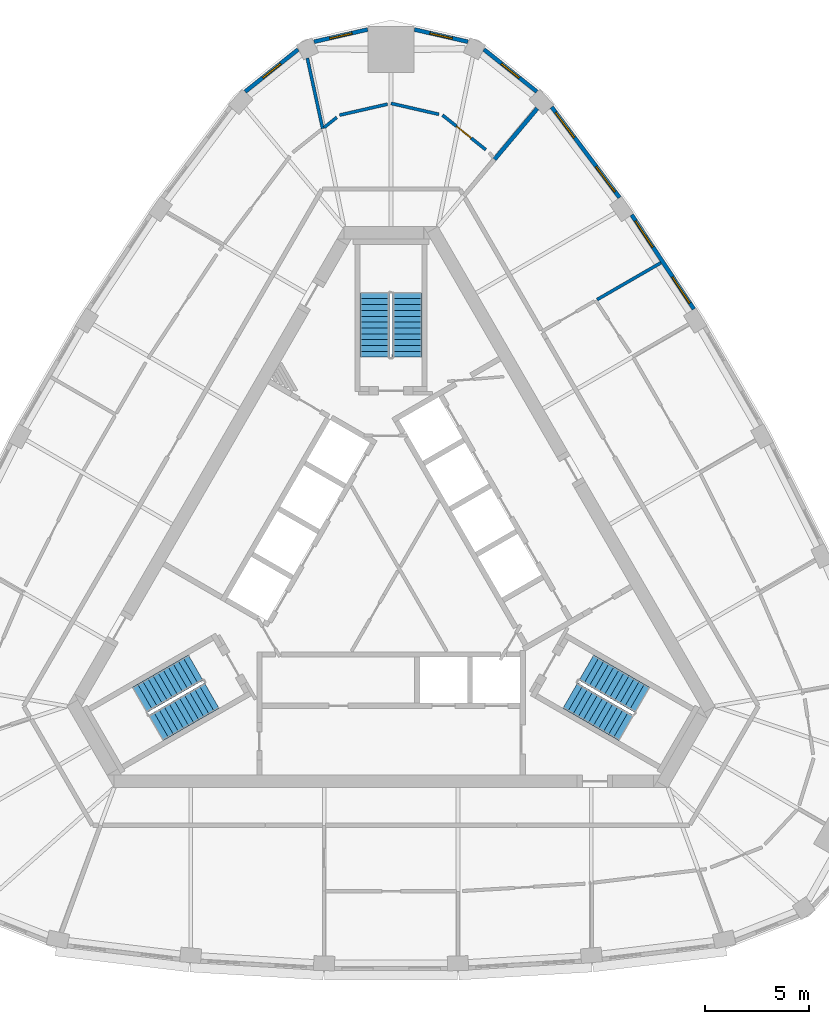
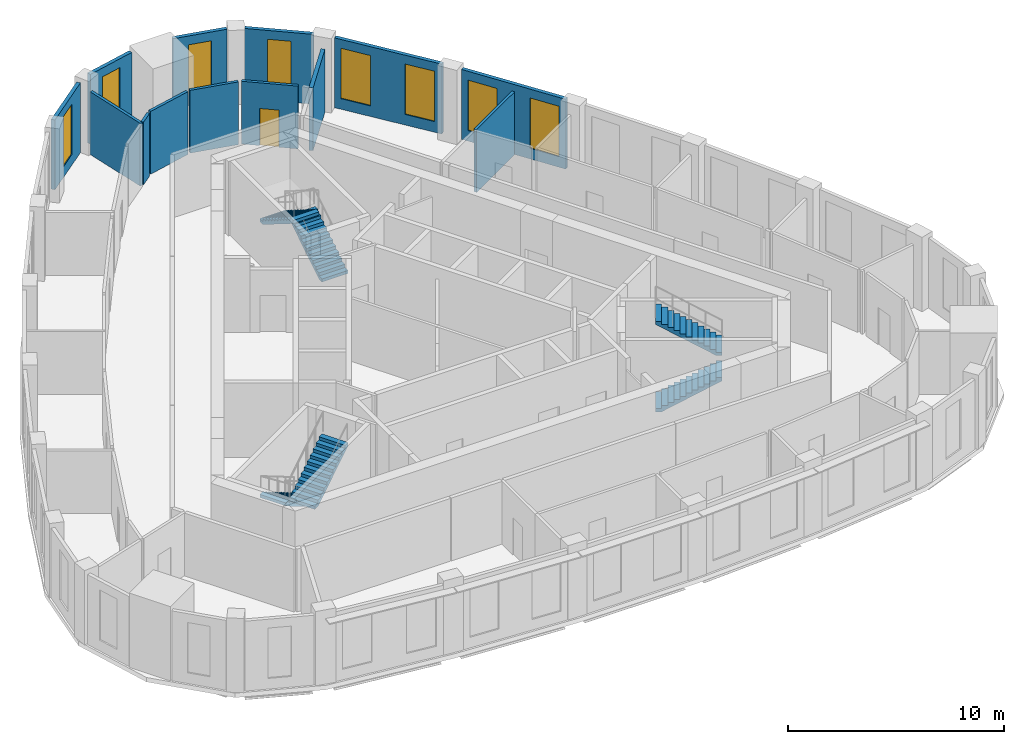
# One storey, part 9 of 10: 13 walls, 8 windows, 6 stair flights, 1 door, 9 openings, 3 elements without a shape of their own.
"""IFC4 building model written with IfcOpenShell, lengths in metres."""

from ifc_helpers import new_model, si_unit, direction, frame, frame_2d, origin, place, context, subcontext, project, spatial, polyline, rectangle, outline, extrude, material, layer, layer_set, type_object, element, fill, aggregate, save


model = new_model("IFC4")

# Units and contexts
model_context = context("Model", 3, precision=1e-05, world=origin(), true_north=direction((0.0, 1.0)))
body_context = subcontext(model_context, "Body", "Model", "MODEL_VIEW")
ifc_project = project(units=[si_unit("LENGTHUNIT", "METRE"), si_unit("AREAUNIT", "SQUARE_METRE"), si_unit("VOLUMEUNIT", "CUBIC_METRE"), si_unit("PLANEANGLEUNIT", "RADIAN"), si_unit("MASSUNIT", "GRAM", prefix="KILO")], contexts=[model_context])

# Site, building, storey
site_placement = place(None, origin())
site = spatial("IfcSite", under=ifc_project, at=site_placement, CompositionType="ELEMENT")
building_placement = place(site_placement, origin())
building = spatial("IfcBuilding", under=site, at=building_placement, Name="Mestral Congress Tower", CompositionType="ELEMENT")
storey_placement = place(building_placement, frame((0.0, 0.0, 271.199951171875)))
storey = spatial("IfcBuildingStorey", under=building, at=storey_placement, Name="L63", CompositionType="ELEMENT", Elevation=271.199951171875)

# Wall, openings, windows
ifc_material_1 = material(Name="Precast concrete C40/50 with limestone facing", Category="masonry")
ifc_layer_1 = layer(ifc_material_1, 0.18994140625)
ifc_layer_set_1 = layer_set([ifc_layer_1], Name="Precast concrete C40/50 with limestone facing")
wall_type_1 = type_object("IfcWallType", Name="Facade stone wall 190", PredefinedType="SOLIDWALL", material=ifc_layer_set_1)
wall_1_placement = place(storey_placement, frame((14.49560546875, 12.6533203125, 0.0), z_axis=(0.0, 0.0, 1.0), x_axis=(-0.550744054781, 0.83467417962, 0.0)))
wall_1 = element("IfcWall", 1, at=wall_1_placement, inside=storey, type_object=wall_type_1, Name="Facade wall F1-03", PredefinedType="SOLIDWALL", context=body_context, shape_type="SweptSolid", body=[
    extrude(rectangle(XDim=5.406005859375, YDim=0.18994140625, at=frame_2d((2.703125, 0.0))), origin(), (0.0, 0.0, 1.0), 3.949951171875),
])
opening_1_placement = place(wall_1_placement, frame((0.346435546875, 0.0, 0.60009765625)))
opening_1 = element("IfcOpeningElement", 2, at=opening_1_placement, cuts=wall_1, Name="Opening W6", PredefinedType="OPENING", context=body_context, shape_type="SweptSolid", body=[
    extrude(rectangle(XDim=1.5, YDim=2.85009765625, at=frame_2d((0.75, 1.425048828125))), frame((0.0, 0.10498046875, 0.0), z_axis=(0.0, -1.0, 0.0), x_axis=(1.0, 0.0, 0.0)), (0.0, 0.0, 1.0), 0.2099609375),
])
opening_2_placement = place(wall_1_placement, frame((3.559326171875, 0.0, 0.60009765625)))
opening_2 = element("IfcOpeningElement", 3, at=opening_2_placement, cuts=wall_1, Name="Opening W6", PredefinedType="OPENING", context=body_context, shape_type="SweptSolid", body=[
    extrude(rectangle(XDim=1.5, YDim=2.85009765625, at=frame_2d((0.75, 1.425048828125))), frame((0.0, 0.10498046875, 0.0), z_axis=(0.0, -1.0, 0.0), x_axis=(1.0, 0.0, 0.0)), (0.0, 0.0, 1.0), 0.2099609375),
])
ifc_material_2 = material(Name="Clear low-emissivity double glazing", Category="glass")
window_type_1 = type_object("IfcWindowType", Name="Facade punched window 1500 x 2850 sill 600", PartitioningType="SINGLE_PANEL", PredefinedType="WINDOW", material=ifc_material_2)
window_1_placement = place(opening_1_placement, origin())
window_1 = element("IfcWindow", 4, at=window_1_placement, inside=storey, type_object=window_type_1, Name="Window F1-03a", OverallHeight=2.85009765625, OverallWidth=1.5, PartitioningType="SINGLE_PANEL", PredefinedType="WINDOW", context=body_context, shape_type="SweptSolid", body=[
    extrude(rectangle(XDim=1.5, YDim=2.85009765625, at=frame_2d((0.75, 1.425048828125))), frame((0.0, 0.044921875, 0.0), z_axis=(0.0, -1.0, 0.0), x_axis=(1.0, 0.0, 0.0)), (0.0, 0.0, 1.0), 0.06005859375),
])
fill(opening_1, window_1)
window_2_placement = place(opening_2_placement, origin())
window_2 = element("IfcWindow", 5, at=window_2_placement, inside=storey, type_object=window_type_1, Name="Window F1-03b", OverallHeight=2.85009765625, OverallWidth=1.5, PartitioningType="SINGLE_PANEL", PredefinedType="WINDOW", context=body_context, shape_type="SweptSolid", body=[
    extrude(rectangle(XDim=1.5, YDim=2.85009765625, at=frame_2d((0.75, 1.425048828125))), frame((0.0, 0.044921875, 0.0), z_axis=(0.0, -1.0, 0.0), x_axis=(1.0, 0.0, 0.0)), (0.0, 0.0, 1.0), 0.06005859375),
])
fill(opening_2, window_2)

wall_2_placement = place(storey_placement, frame((10.938232421875, 17.989990234375, 0.0), z_axis=(0.0, 0.0, 1.0), x_axis=(-0.599559865294, 0.800329911929, 0.0)))
wall_2 = element("IfcWall", 6, at=wall_2_placement, inside=storey, type_object=wall_type_1, Name="Facade wall F1-04", PredefinedType="SOLIDWALL", context=body_context, shape_type="SweptSolid", body=[
    extrude(rectangle(XDim=5.4150390625, YDim=0.18994140625, at=frame_2d((2.70751953125, 0.0))), origin(), (0.0, 0.0, 1.0), 3.949951171875),
])
opening_3_placement = place(wall_2_placement, frame((0.357666015625, 0.0, 0.60009765625)))
opening_3 = element("IfcOpeningElement", 7, at=opening_3_placement, cuts=wall_2, Name="Opening W6", PredefinedType="OPENING", context=body_context, shape_type="SweptSolid", body=[
    extrude(rectangle(XDim=1.5, YDim=2.85009765625, at=frame_2d((0.75, 1.425048828125))), frame((0.0, 0.10498046875, 0.0), z_axis=(0.0, -1.0, 0.0), x_axis=(1.0, 0.0, 0.0)), (0.0, 0.0, 1.0), 0.2099609375),
])
opening_4_placement = place(wall_2_placement, frame((3.592529296875, 0.0, 0.60009765625)))
opening_4 = element("IfcOpeningElement", 8, at=opening_4_placement, cuts=wall_2, Name="Opening W6", PredefinedType="OPENING", context=body_context, shape_type="SweptSolid", body=[
    extrude(rectangle(XDim=1.5, YDim=2.85009765625, at=frame_2d((0.75, 1.425048828125))), frame((0.0, 0.10498046875, 0.0), z_axis=(0.0, -1.0, 0.0), x_axis=(1.0, 0.0, 0.0)), (0.0, 0.0, 1.0), 0.2099609375),
])
window_3_placement = place(opening_3_placement, origin())
window_3 = element("IfcWindow", 9, at=window_3_placement, inside=storey, type_object=window_type_1, Name="Window F1-04a", OverallHeight=2.85009765625, OverallWidth=1.5, PartitioningType="SINGLE_PANEL", PredefinedType="WINDOW", context=body_context, shape_type="SweptSolid", body=[
    extrude(rectangle(XDim=1.5, YDim=2.85009765625, at=frame_2d((0.75, 1.425048828125))), frame((0.0, 0.044921875, 0.0), z_axis=(0.0, -1.0, 0.0), x_axis=(1.0, 0.0, 0.0)), (0.0, 0.0, 1.0), 0.06005859375),
])
fill(opening_3, window_3)
window_4_placement = place(opening_4_placement, origin())
window_4 = element("IfcWindow", 10, at=window_4_placement, inside=storey, type_object=window_type_1, Name="Window F1-04b", OverallHeight=2.85009765625, OverallWidth=1.5, PartitioningType="SINGLE_PANEL", PredefinedType="WINDOW", context=body_context, shape_type="SweptSolid", body=[
    extrude(rectangle(XDim=1.5, YDim=2.85009765625, at=frame_2d((0.75, 1.425048828125))), frame((0.0, 0.044921875, 0.0), z_axis=(0.0, -1.0, 0.0), x_axis=(1.0, 0.0, 0.0)), (0.0, 0.0, 1.0), 0.06005859375),
])
fill(opening_4, window_4)

# Wall, opening, window
wall_3_placement = place(storey_placement, frame((6.977294921875, 23.061279296875, 0.0), z_axis=(0.0, 0.0, 1.0), x_axis=(-0.781626234064, 0.623747088349, 0.0)))
wall_3 = element("IfcWall", 11, at=wall_3_placement, inside=storey, type_object=wall_type_1, Name="Facade wall K1-0", PredefinedType="SOLIDWALL", context=body_context, shape_type="SweptSolid", body=[
    extrude(rectangle(XDim=3.236572265625, YDim=0.18994140625, at=frame_2d((1.6181640625, 0.0))), origin(), (0.0, 0.0, 1.0), 3.949951171875),
])
opening_5_placement = place(wall_3_placement, frame((1.068359375, 0.0, 0.60009765625)))
opening_5 = element("IfcOpeningElement", 12, at=opening_5_placement, cuts=wall_3, Name="Opening W7", PredefinedType="OPENING", context=body_context, shape_type="SweptSolid", body=[
    extrude(rectangle(XDim=1.10009765625, YDim=2.85009765625, at=frame_2d((0.550048828125, 1.425048828125))), frame((0.0, 0.10498046875, 0.0), z_axis=(0.0, -1.0, 0.0), x_axis=(1.0, 0.0, 0.0)), (0.0, 0.0, 1.0), 0.2099609375),
])
window_type_2 = type_object("IfcWindowType", Name="Facade punched window 1100 x 2850 sill 600", PartitioningType="SINGLE_PANEL", PredefinedType="WINDOW", material=ifc_material_2)
window_5_placement = place(opening_5_placement, origin())
window_5 = element("IfcWindow", 13, at=window_5_placement, inside=storey, type_object=window_type_2, Name="Window K1-0", OverallHeight=2.85009765625, OverallWidth=1.10009765625, PartitioningType="SINGLE_PANEL", PredefinedType="WINDOW", context=body_context, shape_type="SweptSolid", body=[
    extrude(rectangle(XDim=1.10009765625, YDim=2.85009765625, at=frame_2d((0.550048828125, 1.425048828125))), frame((0.0, 0.044921875, 0.0), z_axis=(0.0, -1.0, 0.0), x_axis=(1.0, 0.0, 0.0)), (0.0, 0.0, 1.0), 0.06005859375),
])
fill(opening_5, window_5)

wall_4_placement = place(storey_placement, frame((3.6826171875, 25.44873046875, 0.0), z_axis=(0.0, 0.0, 1.0), x_axis=(-0.974913273386, 0.222585060988, 0.0)))
wall_4 = element("IfcWall", 14, at=wall_4_placement, inside=storey, type_object=wall_type_1, Name="Facade wall K1-1", PredefinedType="SOLIDWALL", context=body_context, shape_type="SweptSolid", body=[
    extrude(rectangle(XDim=2.626953125, YDim=0.18994140625, at=frame_2d((1.3134765625, 0.0))), origin(), (0.0, 0.0, 1.0), 3.949951171875),
])
opening_6_placement = place(wall_4_placement, frame((0.763427734375, 0.0, 0.60009765625)))
opening_6 = element("IfcOpeningElement", 15, at=opening_6_placement, cuts=wall_4, Name="Opening W7", PredefinedType="OPENING", context=body_context, shape_type="SweptSolid", body=[
    extrude(rectangle(XDim=1.10009765625, YDim=2.85009765625, at=frame_2d((0.550048828125, 1.425048828125))), frame((0.0, 0.10498046875, 0.0), z_axis=(0.0, -1.0, 0.0), x_axis=(1.0, 0.0, 0.0)), (0.0, 0.0, 1.0), 0.2099609375),
])
window_6_placement = place(opening_6_placement, origin())
window_6 = element("IfcWindow", 16, at=window_6_placement, inside=storey, type_object=window_type_2, Name="Window K1-1", OverallHeight=2.85009765625, OverallWidth=1.10009765625, PartitioningType="SINGLE_PANEL", PredefinedType="WINDOW", context=body_context, shape_type="SweptSolid", body=[
    extrude(rectangle(XDim=1.10009765625, YDim=2.85009765625, at=frame_2d((0.550048828125, 1.425048828125))), frame((0.0, 0.044921875, 0.0), z_axis=(0.0, -1.0, 0.0), x_axis=(1.0, 0.0, 0.0)), (0.0, 0.0, 1.0), 0.06005859375),
])
fill(opening_6, window_6)

wall_5_placement = place(storey_placement, frame((-1.12158203125, 26.033447265625, 0.0), z_axis=(0.0, 0.0, 1.0), x_axis=(-0.974913273386, -0.222585060988, 0.0)))
wall_5 = element("IfcWall", 17, at=wall_5_placement, inside=storey, type_object=wall_type_1, Name="Facade wall K1-2", PredefinedType="SOLIDWALL", context=body_context, shape_type="SweptSolid", body=[
    extrude(rectangle(XDim=2.626953125, YDim=0.18994140625, at=frame_2d((1.3134765625, 0.0))), origin(), (0.0, 0.0, 1.0), 3.949951171875),
])
opening_7_placement = place(wall_5_placement, frame((0.763427734375, 0.0, 0.60009765625)))
opening_7 = element("IfcOpeningElement", 18, at=opening_7_placement, cuts=wall_5, Name="Opening W7", PredefinedType="OPENING", context=body_context, shape_type="SweptSolid", body=[
    extrude(rectangle(XDim=1.10009765625, YDim=2.85009765625, at=frame_2d((0.550048828125, 1.425048828125))), frame((0.0, 0.10498046875, 0.0), z_axis=(0.0, -1.0, 0.0), x_axis=(1.0, 0.0, 0.0)), (0.0, 0.0, 1.0), 0.2099609375),
])
window_7_placement = place(opening_7_placement, origin())
window_7 = element("IfcWindow", 19, at=window_7_placement, inside=storey, type_object=window_type_2, Name="Window K1-2", OverallHeight=2.85009765625, OverallWidth=1.10009765625, PartitioningType="SINGLE_PANEL", PredefinedType="WINDOW", context=body_context, shape_type="SweptSolid", body=[
    extrude(rectangle(XDim=1.10009765625, YDim=2.85009765625, at=frame_2d((0.550048828125, 1.425048828125))), frame((0.0, 0.044921875, 0.0), z_axis=(0.0, -1.0, 0.0), x_axis=(1.0, 0.0, 0.0)), (0.0, 0.0, 1.0), 0.06005859375),
])
fill(opening_7, window_7)

wall_6_placement = place(storey_placement, frame((-4.447509765625, 25.080078125, 0.0), z_axis=(0.0, 0.0, 1.0), x_axis=(-0.781626234064, -0.623747088349, 0.0)))
wall_6 = element("IfcWall", 20, at=wall_6_placement, inside=storey, type_object=wall_type_1, Name="Facade wall K1-3", PredefinedType="SOLIDWALL", context=body_context, shape_type="SweptSolid", body=[
    extrude(rectangle(XDim=3.236572265625, YDim=0.18994140625, at=frame_2d((1.6181640625, 0.0))), origin(), (0.0, 0.0, 1.0), 3.949951171875),
])
opening_8_placement = place(wall_6_placement, frame((1.068359375, 0.0, 0.60009765625)))
opening_8 = element("IfcOpeningElement", 21, at=opening_8_placement, cuts=wall_6, Name="Opening W7", PredefinedType="OPENING", context=body_context, shape_type="SweptSolid", body=[
    extrude(rectangle(XDim=1.10009765625, YDim=2.85009765625, at=frame_2d((0.550048828125, 1.425048828125))), frame((0.0, 0.10498046875, 0.0), z_axis=(0.0, -1.0, 0.0), x_axis=(1.0, 0.0, 0.0)), (0.0, 0.0, 1.0), 0.2099609375),
])
window_8_placement = place(opening_8_placement, origin())
window_8 = element("IfcWindow", 22, at=window_8_placement, inside=storey, type_object=window_type_2, Name="Window K1-3", OverallHeight=2.85009765625, OverallWidth=1.10009765625, PartitioningType="SINGLE_PANEL", PredefinedType="WINDOW", context=body_context, shape_type="SweptSolid", body=[
    extrude(rectangle(XDim=1.10009765625, YDim=2.85009765625, at=frame_2d((0.550048828125, 1.425048828125))), frame((0.0, 0.044921875, 0.0), z_axis=(0.0, -1.0, 0.0), x_axis=(1.0, 0.0, 0.0)), (0.0, 0.0, 1.0), 0.06005859375),
])
fill(opening_8, window_8)

# Walls
ifc_material_3 = material(Name="Plasterboard partition on steel studs", Category="steel")
ifc_layer_2 = layer(ifc_material_3, 0.14990234375)
ifc_layer_set_2 = layer_set([ifc_layer_2], Name="Plasterboard partition on steel studs")
wall_type_2 = type_object("IfcWallType", Name="Office partition 150", PredefinedType="PARTITIONING", material=ifc_layer_set_2)
wall_7_placement = place(storey_placement, frame((9.85986328125, 13.10595703125, 0.0), z_axis=(0.0, 0.0, 1.0), x_axis=(0.866022094817, 0.500005731256, 0.0)))
element("IfcWall", 23, at=wall_7_placement, inside=storey, type_object=wall_type_2, Name="Partition", PredefinedType="PARTITIONING", context=body_context, shape_type="SweptSolid", body=[
    extrude(rectangle(XDim=3.53125, YDim=0.14990234375, at=frame_2d((1.765625, 0.0))), origin(), (0.0, 0.0, 1.0), 3.550048828125),
])
wall_8_placement = place(storey_placement, frame((-3.271728515625, 21.291015625, 0.0), z_axis=(0.0, 0.0, 1.0), x_axis=(-0.212467791623, 0.977168070254, 0.0)))
element("IfcWall", 24, at=wall_8_placement, inside=storey, type_object=wall_type_2, Name="Partition", PredefinedType="PARTITIONING", context=body_context, shape_type="SweptSolid", body=[
    extrude(rectangle(XDim=3.4541015625, YDim=0.14990234375, at=frame_2d((1.72705078125, 0.0))), origin(), (0.0, 0.0, 1.0), 3.550048828125),
])

# Wall, opening, door
wall_9_placement = place(storey_placement, frame((2.4619140625, 21.937255859375, 0.0), z_axis=(0.0, 0.0, 1.0), x_axis=(0.781630346222, -0.62374193531, 0.0)))
wall_9 = element("IfcWall", 25, at=wall_9_placement, inside=storey, type_object=wall_type_2, Name="Partition", PredefinedType="PARTITIONING", context=body_context, shape_type="SweptSolid", body=[
    extrude(rectangle(XDim=2.656494140625, YDim=0.14990234375, at=frame_2d((1.328125, 0.0))), origin(), (0.0, 0.0, 1.0), 3.550048828125),
])
opening_9_placement = place(wall_9_placement, frame((0.856689453125, 0.0, 0.0)))
opening_9 = element("IfcOpeningElement", 26, at=opening_9_placement, cuts=wall_9, Name="Opening O11-013", PredefinedType="OPENING", context=body_context, shape_type="SweptSolid", body=[
    extrude(rectangle(XDim=0.89990234375, YDim=2.10009765625, at=frame_2d((0.449951171875, 1.050048828125))), frame((0.0, 0.0849609375, 0.0), z_axis=(0.0, -1.0, 0.0), x_axis=(1.0, 0.0, 0.0)), (0.0, 0.0, 1.0), 0.169921875),
])
ifc_material_4 = material(Name="Timber door set", Category="wood")
door_type = type_object("IfcDoorType", Name="Office door 900x2100", OperationType="SINGLE_SWING_LEFT", PredefinedType="DOOR", material=ifc_material_4)
door_placement = place(opening_9_placement, origin())
door = element("IfcDoor", 27, at=door_placement, inside=storey, type_object=door_type, Name="Door O11-013", OperationType="SINGLE_SWING_LEFT", OverallHeight=2.10009765625, OverallWidth=0.89990234375, PredefinedType="DOOR", context=body_context, shape_type="SweptSolid", body=[
    extrude(rectangle(XDim=0.89990234375, YDim=2.10009765625, at=frame_2d((0.449951171875, 1.050048828125))), frame((0.0, 0.02490234375, 0.0), z_axis=(0.0, -1.0, 0.0), x_axis=(1.0, 0.0, 0.0)), (0.0, 0.0, 1.0), 0.050048828125),
])
fill(opening_9, door)

# Walls
for number, where, z_axis, x_axis, name in (
    (28, (2.29345703125, 21.975830078125, 0.0), (0.0, 0.0, 1.0), (-0.974908077769, 0.222607816352, 0.0), "Partition"),
    (29, (-0.16845703125, 22.461181640625, 0.0), (0.0, 0.0, 1.0), (-0.974885550769, -0.222706450069, 0.0), "Partition"),
):
    element("IfcWall", number, at=place(storey_placement, frame(where, z_axis=z_axis, x_axis=x_axis)), inside=storey, type_object=wall_type_2, Name=name, PredefinedType="PARTITIONING", context=body_context, shape_type="SweptSolid", body=[
        extrude(rectangle(XDim=2.3525390625, YDim=0.14990234375, at=frame_2d((1.17626953125, 0.0))), origin(), (0.0, 0.0, 1.0), 3.550048828125),
    ])
wall_10_placement = place(storey_placement, frame((-2.596923828125, 21.82958984375, 0.0), z_axis=(0.0, 0.0, 1.0), x_axis=(-0.781601481229, -0.623778105211, 0.0)))
element("IfcWall", 30, at=wall_10_placement, inside=storey, type_object=wall_type_2, Name="Partition", PredefinedType="PARTITIONING", context=body_context, shape_type="SweptSolid", body=[
    extrude(rectangle(XDim=0.779541015625, YDim=0.14990234375, at=frame_2d((0.3896484375, 0.0))), origin(), (0.0, 0.0, 1.0), 3.550048828125),
])
ifc_material_5 = material(Name="Dense masonry wall, plastered", Category="masonry")
ifc_layer_3 = layer(ifc_material_5, 0.199951171875)
ifc_layer_set_3 = layer_set([ifc_layer_3], Name="Dense masonry wall, plastered")
wall_type_3 = type_object("IfcWallType", Name="Office tenancy wall 200", PredefinedType="PARTITIONING", material=ifc_layer_set_3)
wall_11_placement = place(storey_placement, frame((4.949951171875, 19.814208984375, 0.0), z_axis=(0.0, 0.0, 1.0), x_axis=(0.642981953866, 0.765881326971, 0.0)))
element("IfcWall", 31, at=wall_11_placement, inside=storey, type_object=wall_type_3, Name="Tenancy wall", PredefinedType="PARTITIONING", context=body_context, shape_type="SweptSolid", body=[
    extrude(rectangle(XDim=3.188232421875, YDim=0.199951171875, at=frame_2d((1.59423828125, 0.0))), origin(), (0.0, 0.0, 1.0), 3.550048828125),
])

# Stair, stair flights
ifc_material_6 = material(Name="Concrete C60/75", Category="concrete")
stair_type = type_object("IfcStairType", Name="Exit stair 1400", PredefinedType="HALF_TURN_STAIR", material=ifc_material_6)
placement = place(storey_placement, origin())
stair_1 = element("IfcStair", 32, at=placement, inside=storey, type_object=stair_type, Name="L63 ST1", PredefinedType="HALF_TURN_STAIR")
stair_flight_type = type_object("IfcStairFlightType", Name="Exit stair flight 1400", PredefinedType="STRAIGHT", material=ifc_material_6)
stair_flight_1_placement = place(storey_placement, frame((8.575927734375, -5.84619140625, 0.0), z_axis=(0.0, 0.0, 1.0), x_axis=(0.866025403784, -0.5, 0.0)))
stair_flight_1 = element("IfcStairFlight", 33, at=stair_flight_1_placement, type_object=stair_flight_type, Name="ST1 flight 1", NumberOfRisers=12, NumberOfTreads=11, PredefinedType="STRAIGHT", RiserHeight=0.175, TreadLength=0.28, context=body_context, shape_type="SweptSolid", body=[
    extrude(outline(polyline([(0.0, 0.0), (0.0, 0.175048828125), (0.280029296875, 0.175048828125), (0.280029296875, 0.35009765625), (0.56005859375, 0.35009765625), (0.56005859375, 0.52490234375), (0.840087890625, 0.52490234375), (0.840087890625, 0.699951171875), (1.1201171875, 0.699951171875), (1.1201171875, 0.875), (1.39990234375, 0.875), (1.39990234375, 1.050048828125), (1.679931640625, 1.050048828125), (1.679931640625, 1.22509765625), (1.9599609375, 1.22509765625), (1.9599609375, 1.39990234375), (2.239990234375, 1.39990234375), (2.239990234375, 1.574951171875), (2.52001953125, 1.574951171875), (2.52001953125, 1.75), (2.800048828125, 1.75), (2.800048828125, 1.925048828125), (3.080078125, 1.925048828125), (3.080078125, 2.10009765625), (3.080078125, 1.748291015625), (0.28271484375, 0.0), (0.0, 0.0)])), frame((0.0, 0.699951171875, 0.0), z_axis=(0.0, -1.0, 0.0), x_axis=(1.0, 0.0, 0.0)), (0.0, 0.0, 1.0), 1.39990234375),
])
stair_flight_2_placement = place(storey_placement, frame((12.018310546875, -6.0439453125, 2.10009765625), z_axis=(0.0, 0.0, 1.0), x_axis=(-0.866025403784, 0.5, 0.0)))
stair_flight_2 = element("IfcStairFlight", 34, at=stair_flight_2_placement, type_object=stair_flight_type, Name="ST1 flight 2", NumberOfRisers=12, NumberOfTreads=11, PredefinedType="STRAIGHT", RiserHeight=0.175, TreadLength=0.28, context=body_context, shape_type="SweptSolid", body=[
    extrude(outline(polyline([(0.0, 0.0), (0.0, 0.175048828125), (0.280029296875, 0.175048828125), (0.280029296875, 0.35009765625), (0.56005859375, 0.35009765625), (0.56005859375, 0.52490234375), (0.840087890625, 0.52490234375), (0.840087890625, 0.699951171875), (1.1201171875, 0.699951171875), (1.1201171875, 0.875), (1.39990234375, 0.875), (1.39990234375, 1.050048828125), (1.679931640625, 1.050048828125), (1.679931640625, 1.22509765625), (1.9599609375, 1.22509765625), (1.9599609375, 1.39990234375), (2.239990234375, 1.39990234375), (2.239990234375, 1.574951171875), (2.52001953125, 1.574951171875), (2.52001953125, 1.75), (2.800048828125, 1.75), (2.800048828125, 1.925048828125), (3.080078125, 1.925048828125), (3.080078125, 2.10009765625), (3.080078125, 1.748291015625), (0.28271484375, 0.0), (0.0, 0.0)])), frame((0.0, 0.699951171875, 0.0), z_axis=(0.0, -1.0, 0.0), x_axis=(1.0, 0.0, 0.0)), (0.0, 0.0, 1.0), 1.39990234375),
])
aggregate(stair_1, [stair_flight_1, stair_flight_2])

stair_2 = element("IfcStair", 35, at=placement, inside=storey, type_object=stair_type, Name="L63 ST2", PredefinedType="HALF_TURN_STAIR")
stair_flight_3_placement = place(storey_placement, frame((0.77490234375, 10.35009765625, 0.0), z_axis=(0.0, 0.0, 1.0), x_axis=(0.0, 1.0, 0.0)))
stair_flight_3 = element("IfcStairFlight", 36, at=stair_flight_3_placement, type_object=stair_flight_type, Name="ST2 flight 1", NumberOfRisers=12, NumberOfTreads=11, PredefinedType="STRAIGHT", RiserHeight=0.175, TreadLength=0.28, context=body_context, shape_type="SweptSolid", body=[
    extrude(outline(polyline([(0.0, 0.0), (0.0, 0.175048828125), (0.280029296875, 0.175048828125), (0.280029296875, 0.35009765625), (0.56005859375, 0.35009765625), (0.56005859375, 0.52490234375), (0.840087890625, 0.52490234375), (0.840087890625, 0.699951171875), (1.1201171875, 0.699951171875), (1.1201171875, 0.875), (1.39990234375, 0.875), (1.39990234375, 1.050048828125), (1.679931640625, 1.050048828125), (1.679931640625, 1.22509765625), (1.9599609375, 1.22509765625), (1.9599609375, 1.39990234375), (2.239990234375, 1.39990234375), (2.239990234375, 1.574951171875), (2.52001953125, 1.574951171875), (2.52001953125, 1.75), (2.800048828125, 1.75), (2.800048828125, 1.925048828125), (3.080078125, 1.925048828125), (3.080078125, 2.10009765625), (3.080078125, 1.748291015625), (0.28271484375, 0.0), (0.0, 0.0)])), frame((0.0, 0.699951171875, 0.0), z_axis=(0.0, -1.0, 0.0), x_axis=(1.0, 0.0, 0.0)), (0.0, 0.0, 1.0), 1.39990234375),
])
stair_flight_4_placement = place(storey_placement, frame((-0.77490234375, 13.429931640625, 2.10009765625), z_axis=(0.0, 0.0, 1.0), x_axis=(0.0, -1.0, 0.0)))
stair_flight_4 = element("IfcStairFlight", 37, at=stair_flight_4_placement, type_object=stair_flight_type, Name="ST2 flight 2", NumberOfRisers=12, NumberOfTreads=11, PredefinedType="STRAIGHT", RiserHeight=0.175, TreadLength=0.28, context=body_context, shape_type="SweptSolid", body=[
    extrude(outline(polyline([(0.0, 0.0), (0.0, 0.175048828125), (0.280029296875, 0.175048828125), (0.280029296875, 0.35009765625), (0.56005859375, 0.35009765625), (0.56005859375, 0.52490234375), (0.840087890625, 0.52490234375), (0.840087890625, 0.699951171875), (1.1201171875, 0.699951171875), (1.1201171875, 0.875), (1.39990234375, 0.875), (1.39990234375, 1.050048828125), (1.679931640625, 1.050048828125), (1.679931640625, 1.22509765625), (1.9599609375, 1.22509765625), (1.9599609375, 1.39990234375), (2.239990234375, 1.39990234375), (2.239990234375, 1.574951171875), (2.52001953125, 1.574951171875), (2.52001953125, 1.75), (2.800048828125, 1.75), (2.800048828125, 1.925048828125), (3.080078125, 1.925048828125), (3.080078125, 2.10009765625), (3.080078125, 1.748291015625), (0.28271484375, 0.0), (0.0, 0.0)])), frame((0.0, 0.699951171875, 0.0), z_axis=(0.0, -1.0, 0.0), x_axis=(1.0, 0.0, 0.0)), (0.0, 0.0, 1.0), 1.39990234375),
])
aggregate(stair_2, [stair_flight_3, stair_flight_4])

stair_3 = element("IfcStair", 38, at=placement, inside=storey, type_object=stair_type, Name="L63 ST3", PredefinedType="HALF_TURN_STAIR")
stair_flight_5_placement = place(storey_placement, frame((-9.350830078125, -4.50390625, 0.0), z_axis=(0.0, 0.0, 1.0), x_axis=(-0.866025403784, -0.5, 0.0)))
stair_flight_5 = element("IfcStairFlight", 39, at=stair_flight_5_placement, type_object=stair_flight_type, Name="ST3 flight 1", NumberOfRisers=12, NumberOfTreads=11, PredefinedType="STRAIGHT", RiserHeight=0.175, TreadLength=0.28, context=body_context, shape_type="SweptSolid", body=[
    extrude(outline(polyline([(0.0, 0.0), (0.0, 0.175048828125), (0.280029296875, 0.175048828125), (0.280029296875, 0.35009765625), (0.56005859375, 0.35009765625), (0.56005859375, 0.52490234375), (0.840087890625, 0.52490234375), (0.840087890625, 0.699951171875), (1.1201171875, 0.699951171875), (1.1201171875, 0.875), (1.39990234375, 0.875), (1.39990234375, 1.050048828125), (1.679931640625, 1.050048828125), (1.679931640625, 1.22509765625), (1.9599609375, 1.22509765625), (1.9599609375, 1.39990234375), (2.239990234375, 1.39990234375), (2.239990234375, 1.574951171875), (2.52001953125, 1.574951171875), (2.52001953125, 1.75), (2.800048828125, 1.75), (2.800048828125, 1.925048828125), (3.080078125, 1.925048828125), (3.080078125, 2.10009765625), (3.080078125, 1.748291015625), (0.28271484375, 0.0), (0.0, 0.0)])), frame((0.0, 0.699951171875, 0.0), z_axis=(0.0, -1.0, 0.0), x_axis=(1.0, 0.0, 0.0)), (0.0, 0.0, 1.0), 1.39990234375),
])
stair_flight_6_placement = place(storey_placement, frame((-11.2431640625, -7.38623046875, 2.10009765625), z_axis=(0.0, 0.0, 1.0), x_axis=(0.866025403784, 0.5, 0.0)))
stair_flight_6 = element("IfcStairFlight", 40, at=stair_flight_6_placement, type_object=stair_flight_type, Name="ST3 flight 2", NumberOfRisers=12, NumberOfTreads=11, PredefinedType="STRAIGHT", RiserHeight=0.175, TreadLength=0.28, context=body_context, shape_type="SweptSolid", body=[
    extrude(outline(polyline([(0.0, 0.0), (0.0, 0.175048828125), (0.280029296875, 0.175048828125), (0.280029296875, 0.35009765625), (0.56005859375, 0.35009765625), (0.56005859375, 0.52490234375), (0.840087890625, 0.52490234375), (0.840087890625, 0.699951171875), (1.1201171875, 0.699951171875), (1.1201171875, 0.875), (1.39990234375, 0.875), (1.39990234375, 1.050048828125), (1.679931640625, 1.050048828125), (1.679931640625, 1.22509765625), (1.9599609375, 1.22509765625), (1.9599609375, 1.39990234375), (2.239990234375, 1.39990234375), (2.239990234375, 1.574951171875), (2.52001953125, 1.574951171875), (2.52001953125, 1.75), (2.800048828125, 1.75), (2.800048828125, 1.925048828125), (3.080078125, 1.925048828125), (3.080078125, 2.10009765625), (3.080078125, 1.748291015625), (0.28271484375, 0.0), (0.0, 0.0)])), frame((0.0, 0.699951171875, 0.0), z_axis=(0.0, -1.0, 0.0), x_axis=(1.0, 0.0, 0.0)), (0.0, 0.0, 1.0), 1.39990234375),
])
aggregate(stair_3, [stair_flight_5, stair_flight_6])

save(model, "model.ifc")
